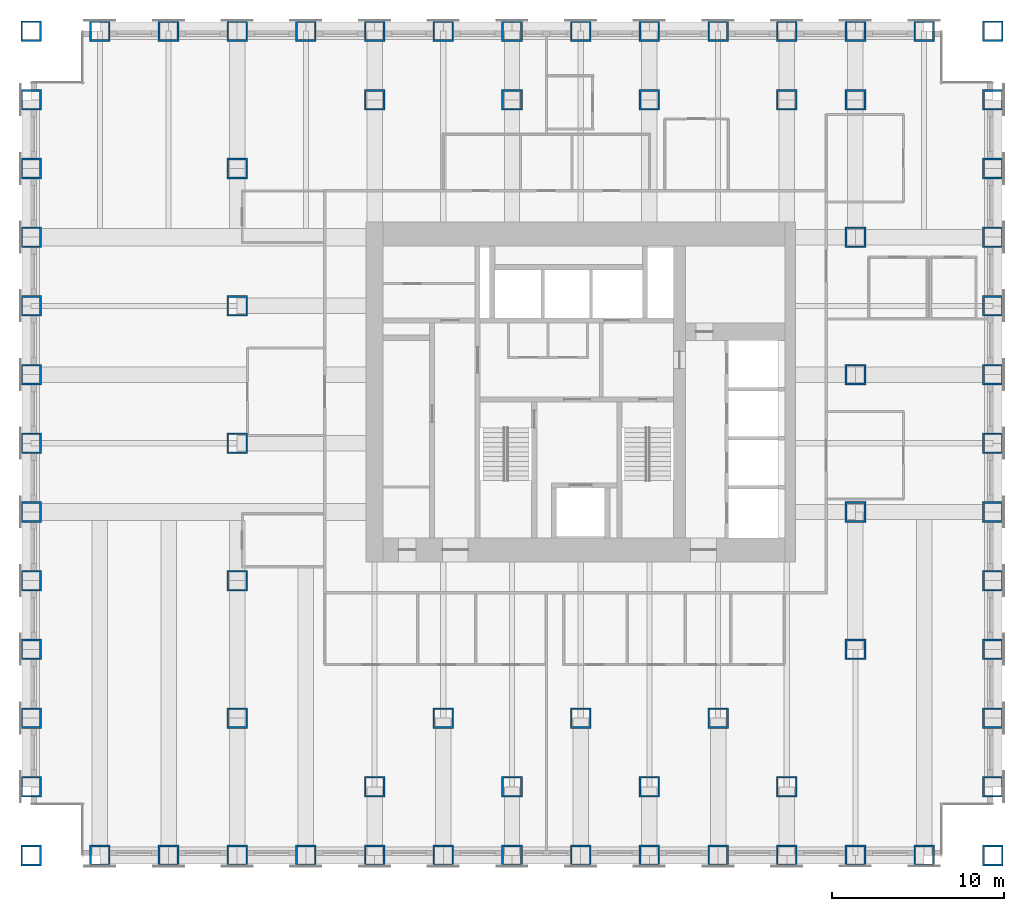
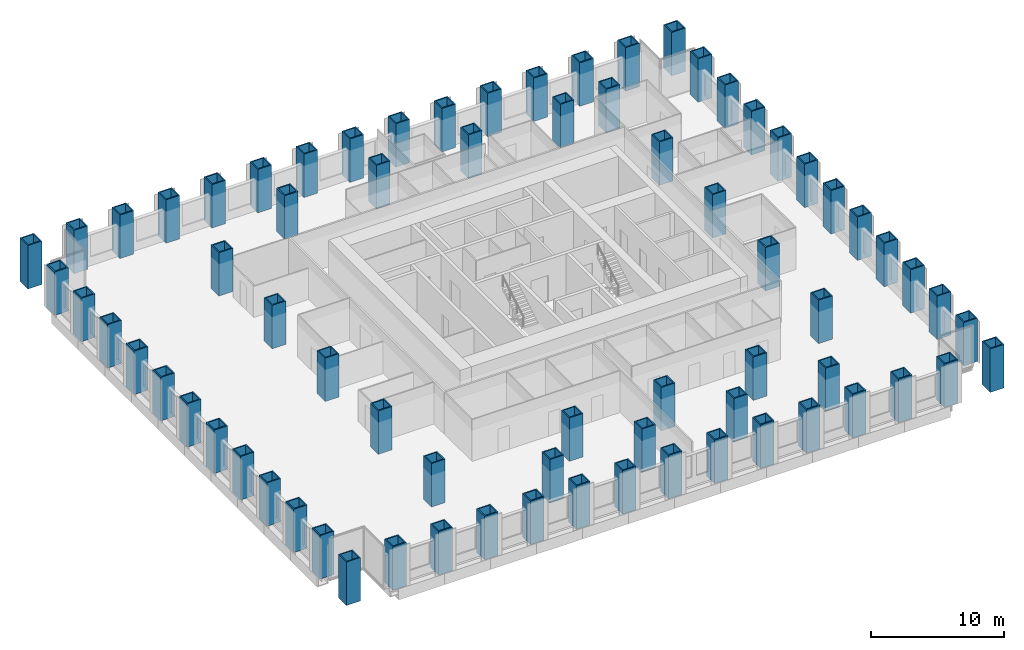
# One storey, part 1 of 14: 73 columns.
"""IFC4 building model written with IfcOpenShell, lengths in metres."""

from ifc_helpers import new_model, si_unit, direction, frame, origin, origin_2d, place, context, subcontext, project, spatial, hollow_rectangle, extrude, material, material_profile, profile_set, type_object, element, save


model = new_model("IFC4")

# Units and contexts
model_context = context("Model", 3, precision=1e-05, world=origin(), true_north=direction((0.0, 1.0)))
body_context = subcontext(model_context, "Body", "Model", "MODEL_VIEW")
ifc_project = project(units=[si_unit("LENGTHUNIT", "METRE"), si_unit("AREAUNIT", "SQUARE_METRE"), si_unit("VOLUMEUNIT", "CUBIC_METRE"), si_unit("PLANEANGLEUNIT", "RADIAN"), si_unit("MASSUNIT", "GRAM", prefix="KILO")], contexts=[model_context])

# Site, building, storey
site_placement = place(None, origin())
site = spatial("IfcSite", under=ifc_project, at=site_placement, CompositionType="ELEMENT")
building_placement = place(site_placement, origin())
building = spatial("IfcBuilding", under=site, at=building_placement, Name="Rimbunsela Tower", CompositionType="ELEMENT")
storey_placement = place(building_placement, frame((0.0, 0.0, 51.0)))
storey = spatial("IfcBuildingStorey", under=building, at=storey_placement, Name="L12", CompositionType="ELEMENT", Elevation=51.0)

# Columns
ifc_material = material(Name="Steel BJ 55 (fy 410 MPa)", Category="steel")
ifc_material_profile = material_profile(ifc_material, hollow_rectangle(XDim=1.199951171875, YDim=1.199951171875, WallThickness=0.10009765625, at=origin_2d()), Name="BOX 1200x1200x100")
ifc_profile_set = profile_set([ifc_material_profile], Name="Steel BJ 55 (fy 410 MPa)")
column_type = type_object("IfcColumnType", Name="Column BOX 1200x1200x100", PredefinedType="COLUMN", material=ifc_profile_set)
for number, where, z_axis, x_axis, name in (
    (1, (-2.0, 0.0, 0.0), (0.0, 0.0, 1.0), (1.0, 0.0, 0.0), "Column C7 2/B L12"),
    (2, (-2.0, 4.0, 0.0), (0.0, 0.0, 1.0), (1.0, 0.0, 0.0), "Column C7 2/C L12"),
    (3, (-2.0, 8.0, 0.0), (0.0, 0.0, 1.0), (1.0, 0.0, 0.0), "Column C7 2/D L12"),
    (4, (-2.0, 12.0, 0.0), (0.0, 0.0, 1.0), (1.0, 0.0, 0.0), "Column C7 2/E L12"),
    (5, (-2.0, 16.0, 0.0), (0.0, 0.0, 1.0), (1.0, 0.0, 0.0), "Column C7 2/F L12"),
    (6, (-2.0, 20.0, 0.0), (0.0, 0.0, 1.0), (1.0, 0.0, 0.0), "Column C7 2/G L12"),
    (7, (-2.0, 24.0, 0.0), (0.0, 0.0, 1.0), (1.0, 0.0, 0.0), "Column C7 2/H L12"),
    (8, (-2.0, 28.0, 0.0), (0.0, 0.0, 1.0), (1.0, 0.0, 0.0), "Column C7 2/J L12"),
    (9, (-2.0, 32.0, 0.0), (0.0, 0.0, 1.0), (1.0, 0.0, 0.0), "Column C7 2/K L12"),
    (10, (-2.0, 36.0, 0.0), (0.0, 0.0, 1.0), (1.0, 0.0, 0.0), "Column C7 2/L L12"),
    (11, (-2.0, 40.0, 0.0), (0.0, 0.0, 1.0), (1.0, 0.0, 0.0), "Column C7 2/M L12"),
    (12, (-2.0, 44.0, 0.0), (0.0, 0.0, 1.0), (1.0, 0.0, 0.0), "Column C7 2/N L12"),
    (13, (-2.0, 48.0, 0.0), (0.0, 0.0, 1.0), (1.0, 0.0, 0.0), "Column C7 2/P L12"),
    (14, (2.0, 0.0, 0.0), (0.0, 0.0, 1.0), (1.0, 0.0, 0.0), "Column C7 3/B L12"),
    (15, (2.0, 48.0, 0.0), (0.0, 0.0, 1.0), (1.0, 0.0, 0.0), "Column C7 3/P L12"),
    (16, (6.0, 0.0, 0.0), (0.0, 0.0, 1.0), (1.0, 0.0, 0.0), "Column C7 4/B L12"),
    (17, (6.0, 48.0, 0.0), (0.0, 0.0, 1.0), (1.0, 0.0, 0.0), "Column C7 4/P L12"),
    (18, (10.0, 0.0, 0.0), (0.0, 0.0, 1.0), (1.0, 0.0, 0.0), "Column C7 5/B L12"),
    (19, (10.0, 48.0, 0.0), (0.0, 0.0, 1.0), (1.0, 0.0, 0.0), "Column C7 5/P L12"),
    (20, (14.0, 0.0, 0.0), (0.0, 0.0, 1.0), (1.0, 0.0, 0.0), "Column C7 6/B L12"),
    (21, (14.0, 48.0, 0.0), (0.0, 0.0, 1.0), (1.0, 0.0, 0.0), "Column C7 6/P L12"),
    (22, (18.0, 0.0, 0.0), (0.0, 0.0, 1.0), (1.0, 0.0, 0.0), "Column C7 7/B L12"),
    (23, (18.0, 48.0, 0.0), (0.0, 0.0, 1.0), (1.0, 0.0, 0.0), "Column C7 7/P L12"),
    (24, (22.0, 0.0, 0.0), (0.0, 0.0, 1.0), (1.0, 0.0, 0.0), "Column C7 8/B L12"),
    (25, (22.0, 48.0, 0.0), (0.0, 0.0, 1.0), (1.0, 0.0, 0.0), "Column C7 8/P L12"),
    (26, (26.0, 0.0, 0.0), (0.0, 0.0, 1.0), (1.0, 0.0, 0.0), "Column C7 9/B L12"),
    (27, (26.0, 48.0, 0.0), (0.0, 0.0, 1.0), (1.0, 0.0, 0.0), "Column C7 9/P L12"),
    (28, (30.0, 0.0, 0.0), (0.0, 0.0, 1.0), (1.0, 0.0, 0.0), "Column C7 10/B L12"),
    (29, (30.0, 48.0, 0.0), (0.0, 0.0, 1.0), (1.0, 0.0, 0.0), "Column C7 10/P L12"),
    (30, (34.0, 0.0, 0.0), (0.0, 0.0, 1.0), (1.0, 0.0, 0.0), "Column C7 11/B L12"),
    (31, (34.0, 48.0, 0.0), (0.0, 0.0, 1.0), (1.0, 0.0, 0.0), "Column C7 11/P L12"),
    (32, (38.0, 0.0, 0.0), (0.0, 0.0, 1.0), (1.0, 0.0, 0.0), "Column C7 12/B L12"),
    (33, (38.0, 48.0, 0.0), (0.0, 0.0, 1.0), (1.0, 0.0, 0.0), "Column C7 12/P L12"),
    (34, (42.0, 0.0, 0.0), (0.0, 0.0, 1.0), (1.0, 0.0, 0.0), "Column C7 13/B L12"),
    (35, (42.0, 48.0, 0.0), (0.0, 0.0, 1.0), (1.0, 0.0, 0.0), "Column C7 13/P L12"),
    (36, (46.0, 0.0, 0.0), (0.0, 0.0, 1.0), (1.0, 0.0, 0.0), "Column C7 14/B L12"),
    (37, (46.0, 48.0, 0.0), (0.0, 0.0, 1.0), (1.0, 0.0, 0.0), "Column C7 14/P L12"),
    (38, (50.0, 0.0, 0.0), (0.0, 0.0, 1.0), (1.0, 0.0, 0.0), "Column C7 15/B L12"),
    (39, (50.0, 48.0, 0.0), (0.0, 0.0, 1.0), (1.0, 0.0, 0.0), "Column C7 15/P L12"),
    (40, (54.0, 0.0, 0.0), (0.0, 0.0, 1.0), (1.0, 0.0, 0.0), "Column C7 16/B L12"),
    (41, (54.0, 4.0, 0.0), (0.0, 0.0, 1.0), (1.0, 0.0, 0.0), "Column C7 16/C L12"),
    (42, (54.0, 8.0, 0.0), (0.0, 0.0, 1.0), (1.0, 0.0, 0.0), "Column C7 16/D L12"),
    (43, (54.0, 12.0, 0.0), (0.0, 0.0, 1.0), (1.0, 0.0, 0.0), "Column C7 16/E L12"),
    (44, (54.0, 16.0, 0.0), (0.0, 0.0, 1.0), (1.0, 0.0, 0.0), "Column C7 16/F L12"),
    (45, (54.0, 20.0, 0.0), (0.0, 0.0, 1.0), (1.0, 0.0, 0.0), "Column C7 16/G L12"),
    (46, (54.0, 24.0, 0.0), (0.0, 0.0, 1.0), (1.0, 0.0, 0.0), "Column C7 16/H L12"),
    (47, (54.0, 28.0, 0.0), (0.0, 0.0, 1.0), (1.0, 0.0, 0.0), "Column C7 16/J L12"),
    (48, (54.0, 32.0, 0.0), (0.0, 0.0, 1.0), (1.0, 0.0, 0.0), "Column C7 16/K L12"),
    (49, (54.0, 36.0, 0.0), (0.0, 0.0, 1.0), (1.0, 0.0, 0.0), "Column C7 16/L L12"),
    (50, (54.0, 40.0, 0.0), (0.0, 0.0, 1.0), (1.0, 0.0, 0.0), "Column C7 16/M L12"),
    (51, (54.0, 44.0, 0.0), (0.0, 0.0, 1.0), (1.0, 0.0, 0.0), "Column C7 16/N L12"),
    (52, (54.0, 48.0, 0.0), (0.0, 0.0, 1.0), (1.0, 0.0, 0.0), "Column C7 16/P L12"),
    (53, (10.0, 8.0, 0.0), (0.0, 0.0, 1.0), (1.0, 0.0, 0.0), "Column C7 5/D L12"),
    (54, (10.0, 16.0, 0.0), (0.0, 0.0, 1.0), (1.0, 0.0, 0.0), "Column C7 5/F L12"),
    (55, (10.0, 24.0, 0.0), (0.0, 0.0, 1.0), (1.0, 0.0, 0.0), "Column C7 5/H L12"),
    (56, (10.0, 32.0, 0.0), (0.0, 0.0, 1.0), (1.0, 0.0, 0.0), "Column C7 5/K L12"),
    (57, (10.0, 40.0, 0.0), (0.0, 0.0, 1.0), (1.0, 0.0, 0.0), "Column C7 5/M L12"),
    (58, (18.0, 4.0, 0.0), (0.0, 0.0, 1.0), (1.0, 0.0, 0.0), "Column C7 7/C L12"),
    (59, (18.0, 44.0, 0.0), (0.0, 0.0, 1.0), (1.0, 0.0, 0.0), "Column C7 7/N L12"),
    (60, (22.0, 8.0, 0.0), (0.0, 0.0, 1.0), (1.0, 0.0, 0.0), "Column C7 8/D L12"),
    (61, (26.0, 4.0, 0.0), (0.0, 0.0, 1.0), (1.0, 0.0, 0.0), "Column C7 9/C L12"),
    (62, (26.0, 44.0, 0.0), (0.0, 0.0, 1.0), (1.0, 0.0, 0.0), "Column C7 9/N L12"),
    (63, (30.0, 8.0, 0.0), (0.0, 0.0, 1.0), (1.0, 0.0, 0.0), "Column C7 10/D L12"),
    (64, (34.0, 4.0, 0.0), (0.0, 0.0, 1.0), (1.0, 0.0, 0.0), "Column C7 11/C L12"),
    (65, (34.0, 44.0, 0.0), (0.0, 0.0, 1.0), (1.0, 0.0, 0.0), "Column C7 11/N L12"),
    (66, (38.0, 8.0, 0.0), (0.0, 0.0, 1.0), (1.0, 0.0, 0.0), "Column C7 12/D L12"),
    (67, (42.0, 4.0, 0.0), (0.0, 0.0, 1.0), (1.0, 0.0, 0.0), "Column C7 13/C L12"),
    (68, (42.0, 44.0, 0.0), (0.0, 0.0, 1.0), (1.0, 0.0, 0.0), "Column C7 13/N L12"),
    (69, (46.0, 12.0, 0.0), (0.0, 0.0, 1.0), (1.0, 0.0, 0.0), "Column C7 14/E L12"),
    (70, (46.0, 20.0, 0.0), (0.0, 0.0, 1.0), (1.0, 0.0, 0.0), "Column C7 14/G L12"),
    (71, (46.0, 28.0, 0.0), (0.0, 0.0, 1.0), (1.0, 0.0, 0.0), "Column C7 14/J L12"),
    (72, (46.0, 36.0, 0.0), (0.0, 0.0, 1.0), (1.0, 0.0, 0.0), "Column C7 14/L L12"),
    (73, (46.0, 44.0, 0.0), (0.0, 0.0, 1.0), (1.0, 0.0, 0.0), "Column C7 14/N L12"),
):
    element("IfcColumn", number, at=place(storey_placement, frame(where, z_axis=z_axis, x_axis=x_axis)), inside=storey, type_object=column_type, Name=name, PredefinedType="COLUMN", context=body_context, shape_type="SweptSolid", body=[
        extrude(hollow_rectangle(XDim=1.199951171875, YDim=1.199951171875, WallThickness=0.10009765625, at=origin_2d()), origin(), (0.0, 0.0, 1.0), 4.0),
    ])

save(model, "model.ifc")
